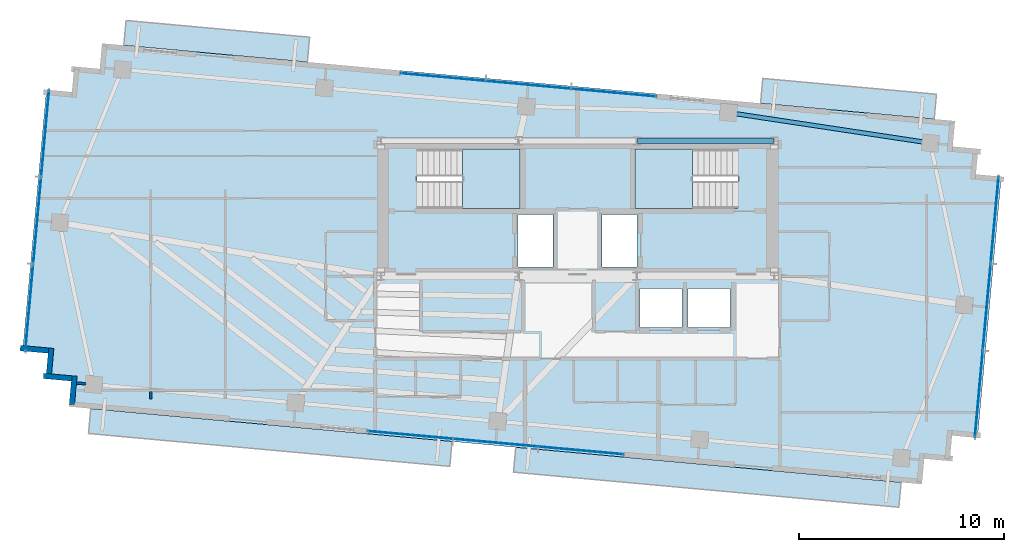
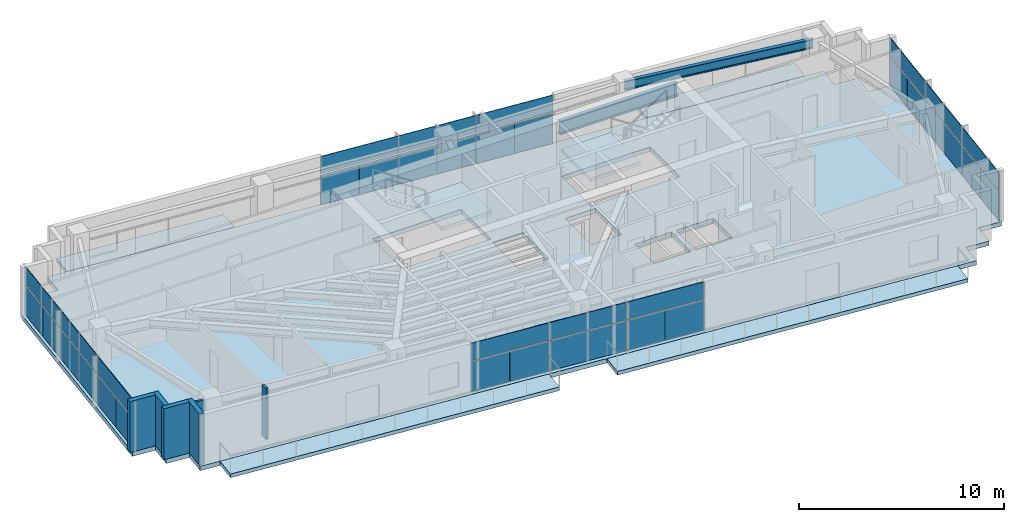
# One storey, part 15 of 22: 36 plates, 7 slabs, 6 walls, 2 beams, 6 elements without a shape of their own.
"""IFC4 building model written with IfcOpenShell, lengths in metres."""

from ifc_helpers import new_model, si_unit, direction, frame, frame_2d, origin, origin_2d, place, context, subcontext, project, spatial, polyline, rectangle, i_section, outline, extrude, source, transform, mapped, material, layer, layer_set, material_profile, profile_set, type_object, type_shapes, element, aggregate, save


model = new_model("IFC4")

# Units and contexts
model_context = context("Model", 3, precision=1e-05, world=origin(), true_north=direction((0.0, 1.0)))
body_context = subcontext(model_context, "Body", "Model", "MODEL_VIEW")
ifc_project = project(units=[si_unit("LENGTHUNIT", "METRE"), si_unit("AREAUNIT", "SQUARE_METRE"), si_unit("VOLUMEUNIT", "CUBIC_METRE"), si_unit("PLANEANGLEUNIT", "RADIAN"), si_unit("MASSUNIT", "GRAM", prefix="KILO")], contexts=[model_context])

# Site, building, storey
site_placement = place(None, origin())
site = spatial("IfcSite", under=ifc_project, at=site_placement, CompositionType="ELEMENT")
building_placement = place(site_placement, origin())
building = spatial("IfcBuilding", under=site, at=building_placement, Name="Astriad Promenade Condominiums", CompositionType="ELEMENT")
storey_placement = place(building_placement, frame((0.0, 0.0, 243.0)))
storey = spatial("IfcBuildingStorey", under=building, at=storey_placement, Name="L70", CompositionType="ELEMENT", Elevation=243.0)

# Beams
ifc_material_1 = material(Name="Steel ASTM A992 Grade 50", Category="steel")
ifc_material_profile_1 = material_profile(ifc_material_1, i_section(OverallWidth=0.267822265625, OverallDepth=0.76953125, WebThickness=0.015625, FlangeThickness=0.025390625, FilletRadius=0.021484375, at=origin_2d()), Name="W30X132")
ifc_profile_set_1 = profile_set([ifc_material_profile_1], Name="Steel ASTM A992 Grade 50")
beam_type_1 = type_object("IfcBeamType", Name="STEEL FLOOR GIRDER W30X132", PredefinedType="BEAM", material=ifc_profile_set_1)
shared_shape_1 = source(origin(), body_context, "Body", "SweptSolid", [
    extrude(i_section(OverallWidth=0.267822265625, OverallDepth=0.76953125, WebThickness=0.015625, FlangeThickness=0.025390625, FilletRadius=0.021484375, at=origin_2d()), origin(), (0.0, 0.0, 1.0), 6.64013671875),
])
type_shapes(beam_type_1, [shared_shape_1])
beam_1_placement = place(storey_placement, frame((38.919921875, 24.0, 2.6552734375), z_axis=(1.0, 0.0, 0.0), x_axis=(0.0, 1.0, 0.0)))
element("IfcBeam", 1, at=beam_1_placement, inside=storey, type_object=beam_type_1, Name="Core Ring Beam CG-N3-L70", PredefinedType="BEAM", context=body_context, shape_type="MappedRepresentation", body=[
    mapped(shared_shape_1, transform((0.0, 0.0, 0.0), scale=1.0)),
])
ifc_material_profile_2 = material_profile(ifc_material_1, i_section(OverallWidth=0.210693359375, OverallDepth=0.53955078125, WebThickness=0.01171875, FlangeThickness=0.018798828125, FilletRadius=0.0166015625, at=origin_2d()), Name="W21X73")
ifc_profile_set_2 = profile_set([ifc_material_profile_2], Name="Steel ASTM A992 Grade 50")
beam_type_2 = type_object("IfcBeamType", Name="STEEL SPANDREL BEAM W21X73", PredefinedType="SPANDREL", material=ifc_profile_set_2)
shared_shape_2 = source(origin(), body_context, "Body", "SweptSolid", [
    extrude(i_section(OverallWidth=0.210693359375, OverallDepth=0.53955078125, WebThickness=0.01171875, FlangeThickness=0.018798828125, FilletRadius=0.0166015625, at=origin_2d()), origin(), (0.0, 0.0, 1.0), 9.890869140625),
])
type_shapes(beam_type_2, [shared_shape_2])
beam_2_placement = place(storey_placement, frame((53.1787109375, 23.899658203125, 2.770263671875), z_axis=(-0.988827455442, 0.149064628143, 0.0), x_axis=(-0.149064628143, -0.988827455442, 0.0)))
element("IfcBeam", 2, at=beam_2_placement, inside=storey, type_object=beam_type_2, Name="Perimeter Spandrel Beam SP-N4-L70", PredefinedType="SPANDREL", context=body_context, shape_type="MappedRepresentation", body=[
    mapped(shared_shape_2, transform((0.0, 0.0, 0.0), scale=1.0)),
])

# Slab
ifc_material_2 = material(Name="Concrete C50/60", Category="concrete")
ifc_layer_1 = layer(ifc_material_2, 0.260009765625)
ifc_layer_set_1 = layer_set([ifc_layer_1], Name="Concrete C50/60")
slab_type_1 = type_object("IfcSlabType", Name="CONCRETE TOWER FLOOR SLAB 260", PredefinedType="FLOOR", material=ifc_layer_set_1)
slab_1_placement = place(storey_placement, frame((0.0, 0.0, -0.260009765625)))
element("IfcSlab", 3, at=slab_1_placement, inside=storey, type_object=slab_type_1, Name="Structural Floor Slab (L70)", PredefinedType="FLOOR", context=body_context, shape_type="SweptSolid", body=[
    extrude(outline(polyline([(11.179443359375, 11.03076171875), (52.807373046875, 7.242431640625), (52.920654296875, 8.4873046875), (54.16552734375, 8.3740234375), (54.27880859375, 9.618896484375), (55.523681640625, 9.505615234375), (56.68359375, 22.2529296875), (55.43896484375, 22.3662109375), (55.55224609375, 23.611083984375), (54.307373046875, 23.724365234375), (54.420654296875, 24.96923828125), (12.79248046875, 28.757568359375), (12.679443359375, 27.5126953125), (11.4345703125, 27.6259765625), (11.3212890625, 26.381103515625), (10.076416015625, 26.494384765625), (8.916259765625, 13.7470703125), (10.1611328125, 13.6337890625), (10.0478515625, 12.388916015625), (11.292724609375, 12.275634765625), (11.179443359375, 11.03076171875)]), holes=[polyline([(28.175048828125, 20.699951171875), (33.175048828125, 20.699951171875), (33.175048828125, 23.60009765625), (28.175048828125, 23.60009765625), (28.175048828125, 20.699951171875)]), polyline([(38.824951171875, 20.699951171875), (43.824951171875, 20.699951171875), (43.824951171875, 23.60009765625), (38.824951171875, 23.60009765625), (38.824951171875, 20.699951171875)]), polyline([(33.10009765625, 17.85009765625), (34.800048828125, 17.85009765625), (34.800048828125, 20.39990234375), (33.10009765625, 20.39990234375), (33.10009765625, 17.85009765625)]), polyline([(37.199951171875, 17.85009765625), (38.89990234375, 17.85009765625), (38.89990234375, 20.39990234375), (37.199951171875, 20.39990234375), (37.199951171875, 17.85009765625)]), polyline([(39.050048828125, 14.89990234375), (41.10009765625, 14.89990234375), (41.10009765625, 16.800048828125), (39.050048828125, 16.800048828125), (39.050048828125, 14.89990234375)]), polyline([(41.39990234375, 14.89990234375), (43.449951171875, 14.89990234375), (43.449951171875, 16.800048828125), (41.39990234375, 16.800048828125), (41.39990234375, 14.89990234375)])]), origin(), (0.0, 0.0, 1.0), 0.260009765625),
])

# Stair, slab
stair_type = type_object("IfcStairType", Name="STR-CORE-1350", PredefinedType="HALF_TURN_STAIR", material=ifc_material_2)
stair_1_placement = place(storey_placement, origin())
stair_1 = element("IfcStair", 4, at=stair_1_placement, inside=storey, type_object=stair_type, Name="L70 Enclosed Core Exit Stair ST-1", PredefinedType="HALF_TURN_STAIR")
ifc_layer_2 = layer(ifc_material_2, 0.219970703125)
ifc_layer_set_2 = layer_set([ifc_layer_2], Name="Concrete C50/60")
slab_type_2 = type_object("IfcSlabType", Name="SLB-LANDING-220", PredefinedType="LANDING", material=ifc_layer_set_2)
slab_2_placement = place(storey_placement, frame((0.0, 0.0, 1.449951171875)))
slab_2 = element("IfcSlab", 5, at=slab_2_placement, type_object=slab_type_2, Name="ST-1 landing 1", PredefinedType="LANDING", context=body_context, shape_type="SweptSolid", body=[
    extrude(outline(polyline([(30.389892578125, 20.699951171875), (33.199951171875, 20.699951171875), (33.199951171875, 23.60009765625), (30.389892578125, 23.60009765625), (30.389892578125, 20.699951171875)])), origin(), (0.0, 0.0, 1.0), 0.199951171875),
])
aggregate(stair_1, [slab_2])

stair_2_placement = place(storey_placement, origin())
stair_2 = element("IfcStair", 6, at=stair_2_placement, inside=storey, type_object=stair_type, Name="L70 Enclosed Core Exit Stair ST-2", PredefinedType="HALF_TURN_STAIR")
slab_3_placement = place(storey_placement, frame((0.0, 0.0, 1.449951171875)))
slab_3 = element("IfcSlab", 7, at=slab_3_placement, type_object=slab_type_2, Name="ST-2 landing 1", PredefinedType="LANDING", context=body_context, shape_type="SweptSolid", body=[
    extrude(outline(polyline([(41.610107421875, 23.60009765625), (38.800048828125, 23.60009765625), (38.800048828125, 20.699951171875), (41.610107421875, 20.699951171875), (41.610107421875, 23.60009765625)])), origin(), (0.0, 0.0, 1.0), 0.199951171875),
])
aggregate(stair_2, [slab_3])

# Slabs
ifc_material_3 = material(Name="Precast concrete C50/60", Category="concrete")
ifc_layer_3 = layer(ifc_material_3, 0.219970703125)
ifc_layer_set_3 = layer_set([ifc_layer_3], Name="Precast concrete C50/60")
slab_type_3 = type_object("IfcSlabType", Name="WHITE PRECAST CONCRETE WAVE BALCONY SLAB 220", PredefinedType="FLOOR", material=ifc_layer_set_3)
slab_4_placement = place(storey_placement, frame((0.0, 0.0, -0.219970703125)))
element("IfcSlab", 8, at=slab_4_placement, inside=storey, type_object=slab_type_3, Name="White Precast Wave Balcony Slab BAL-L70-SW", PredefinedType="FLOOR", context=body_context, shape_type="SweptSolid", body=[
    extrude(outline(polyline([(29.763671875, 8.114501953125), (12.12939453125, 9.71923828125), (12.23974609375, 10.932373046875), (29.873779296875, 9.327392578125), (29.763671875, 8.114501953125)])), origin(), (0.0, 0.0, 1.0), 0.219970703125),
])
slab_5_placement = place(storey_placement, frame((0.0, 0.0, -0.219970703125)))
element("IfcSlab", 9, at=slab_5_placement, inside=storey, type_object=slab_type_3, Name="White Precast Wave Balcony Slab BAL-L70-SE", PredefinedType="FLOOR", context=body_context, shape_type="SweptSolid", body=[
    extrude(outline(polyline([(51.681884765625, 6.119873046875), (32.872802734375, 7.83154296875), (32.983154296875, 9.04443359375), (51.792236328125, 7.332763671875), (51.681884765625, 6.119873046875)])), origin(), (0.0, 0.0, 1.0), 0.219970703125),
])
slab_6_placement = place(storey_placement, frame((0.0, 0.0, -0.219970703125)))
element("IfcSlab", 10, at=slab_6_placement, inside=storey, type_object=slab_type_3, Name="White Precast Wave Balcony Slab BAL-L70-NW", PredefinedType="FLOOR", context=body_context, shape_type="SweptSolid", body=[
    extrude(outline(polyline([(13.9638671875, 29.8759765625), (22.921875, 29.060791015625), (22.811279296875, 27.847900390625), (13.853515625, 28.6630859375), (13.9638671875, 29.8759765625)])), origin(), (0.0, 0.0, 1.0), 0.219970703125),
])
slab_7_placement = place(storey_placement, frame((0.0, 0.0, -0.219970703125)))
element("IfcSlab", 11, at=slab_7_placement, inside=storey, type_object=slab_type_3, Name="White Precast Wave Balcony Slab BAL-L70-NE", PredefinedType="FLOOR", context=body_context, shape_type="SweptSolid", body=[
    extrude(outline(polyline([(45.040283203125, 27.0478515625), (53.516357421875, 26.276611328125), (53.406005859375, 25.0634765625), (44.929931640625, 25.8349609375), (45.040283203125, 27.0478515625)])), origin(), (0.0, 0.0, 1.0), 0.219970703125),
])

# Curtain wall, plates
ifc_material_4 = material(Name="Anodised aluminium Black Dark Glass Unitised", Category="aluminium")
curtain_wall_type = type_object("IfcCurtainWallType", Name="CW-B5-DARK", PredefinedType="USERDEFINED", material=ifc_material_4)
curtain_wall_1_placement = place(storey_placement, origin())
curtain_wall_1 = element("IfcCurtainWall", 12, at=curtain_wall_1_placement, inside=storey, type_object=curtain_wall_type, Name="CW-L70-W", ObjectType="UNITISED_CURTAIN_WALL", PredefinedType="USERDEFINED")
ifc_material_5 = material(Name="Dark Tinted Low-E Laminated Glass", Category="glass")
ifc_layer_4 = layer(ifc_material_5, 0.035888671875)
ifc_layer_set_4 = layer_set([ifc_layer_4], Name="Dark Tinted Low-E Laminated Glass")
plate_type = type_object("IfcPlateType", Name="PNL-DARK-GLASS-36", PredefinedType="CURTAIN_PANEL", material=ifc_layer_set_4)
shared_shape_3 = source(origin(), body_context, "Body", "SweptSolid", [
    extrude(rectangle(XDim=2.121337890625, YDim=0.035888671875, at=origin_2d()), origin(), (0.0, 0.0, 1.0), 1.764892578125),
])
plate_1_placement = place(storey_placement, frame((9.142578125, 14.797607421875, 0.080078125), z_axis=(0.0, 0.0, 1.0), x_axis=(0.090632580198, 0.995884398616, 0.0)))
plate_1 = element("IfcPlate", 13, at=plate_1_placement, type_object=plate_type, Name="CW-L70-W-PNL-00-VL", PredefinedType="CURTAIN_PANEL", context=body_context, shape_type="MappedRepresentation", body=[
    mapped(shared_shape_3, transform((0.0, 0.0, 0.0), scale=1.0)),
])
plate_2_placement = place(storey_placement, frame((9.335693359375, 16.922119140625, 0.080078125), z_axis=(0.0, 0.0, 1.0), x_axis=(0.090632580198, 0.995884398616, 0.0)))
plate_2 = element("IfcPlate", 14, at=plate_2_placement, type_object=plate_type, Name="CW-L70-W-PNL-00-VR", PredefinedType="CURTAIN_PANEL", context=body_context, shape_type="MappedRepresentation", body=[
    mapped(shared_shape_3, transform((0.0, 0.0, 0.0), scale=1.0)),
])
plate_3_placement = place(storey_placement, frame((9.529296875, 19.046630859375, 0.080078125), z_axis=(0.0, 0.0, 1.0), x_axis=(0.090632580198, 0.995884398616, 0.0)))
plate_3 = element("IfcPlate", 15, at=plate_3_placement, type_object=plate_type, Name="CW-L70-W-PNL-01-VL", PredefinedType="CURTAIN_PANEL", context=body_context, shape_type="MappedRepresentation", body=[
    mapped(shared_shape_3, transform((0.0, 0.0, 0.0), scale=1.0)),
])
plate_4_placement = place(storey_placement, frame((9.722412109375, 21.17138671875, 0.080078125), z_axis=(0.0, 0.0, 1.0), x_axis=(0.090632580198, 0.995884398616, 0.0)))
plate_4 = element("IfcPlate", 16, at=plate_4_placement, type_object=plate_type, Name="CW-L70-W-PNL-01-VR", PredefinedType="CURTAIN_PANEL", context=body_context, shape_type="MappedRepresentation", body=[
    mapped(shared_shape_3, transform((0.0, 0.0, 0.0), scale=1.0)),
])
plate_5_placement = place(storey_placement, frame((9.916015625, 23.2958984375, 0.080078125), z_axis=(0.0, 0.0, 1.0), x_axis=(0.090632580198, 0.995884398616, 0.0)))
plate_5 = element("IfcPlate", 17, at=plate_5_placement, type_object=plate_type, Name="CW-L70-W-PNL-02-VL", PredefinedType="CURTAIN_PANEL", context=body_context, shape_type="MappedRepresentation", body=[
    mapped(shared_shape_3, transform((0.0, 0.0, 0.0), scale=1.0)),
])
plate_6_placement = place(storey_placement, frame((10.109130859375, 25.42041015625, 0.080078125), z_axis=(0.0, 0.0, 1.0), x_axis=(0.090632580198, 0.995884398616, 0.0)))
plate_6 = element("IfcPlate", 18, at=plate_6_placement, type_object=plate_type, Name="CW-L70-W-PNL-02-VR", PredefinedType="CURTAIN_PANEL", context=body_context, shape_type="MappedRepresentation", body=[
    mapped(shared_shape_3, transform((0.0, 0.0, 0.0), scale=1.0)),
])

curtain_wall_2_placement = place(storey_placement, origin())
curtain_wall_2 = element("IfcCurtainWall", 19, at=curtain_wall_2_placement, inside=storey, type_object=curtain_wall_type, Name="CW-L70-E", ObjectType="UNITISED_CURTAIN_WALL", PredefinedType="USERDEFINED")
plate_7_placement = place(storey_placement, frame((56.45751953125, 21.202392578125, 0.080078125), z_axis=(0.0, 0.0, 1.0), x_axis=(-0.090632580198, -0.995884398616, 0.0)))
plate_7 = element("IfcPlate", 20, at=plate_7_placement, type_object=plate_type, Name="CW-L70-E-PNL-00-VL", PredefinedType="CURTAIN_PANEL", context=body_context, shape_type="MappedRepresentation", body=[
    mapped(shared_shape_3, transform((0.0, 0.0, 0.0), scale=1.0)),
])
plate_8_placement = place(storey_placement, frame((56.26416015625, 19.077880859375, 0.080078125), z_axis=(0.0, 0.0, 1.0), x_axis=(-0.090632580198, -0.995884398616, 0.0)))
plate_8 = element("IfcPlate", 21, at=plate_8_placement, type_object=plate_type, Name="CW-L70-E-PNL-00-VR", PredefinedType="CURTAIN_PANEL", context=body_context, shape_type="MappedRepresentation", body=[
    mapped(shared_shape_3, transform((0.0, 0.0, 0.0), scale=1.0)),
])
plate_9_placement = place(storey_placement, frame((56.07080078125, 16.953369140625, 0.080078125), z_axis=(0.0, 0.0, 1.0), x_axis=(-0.090632580198, -0.995884398616, 0.0)))
plate_9 = element("IfcPlate", 22, at=plate_9_placement, type_object=plate_type, Name="CW-L70-E-PNL-01-VL", PredefinedType="CURTAIN_PANEL", context=body_context, shape_type="MappedRepresentation", body=[
    mapped(shared_shape_3, transform((0.0, 0.0, 0.0), scale=1.0)),
])
plate_10_placement = place(storey_placement, frame((55.87744140625, 14.82861328125, 0.080078125), z_axis=(0.0, 0.0, 1.0), x_axis=(-0.090632580198, -0.995884398616, 0.0)))
plate_10 = element("IfcPlate", 23, at=plate_10_placement, type_object=plate_type, Name="CW-L70-E-PNL-01-VR", PredefinedType="CURTAIN_PANEL", context=body_context, shape_type="MappedRepresentation", body=[
    mapped(shared_shape_3, transform((0.0, 0.0, 0.0), scale=1.0)),
])
plate_11_placement = place(storey_placement, frame((55.68408203125, 12.7041015625, 0.080078125), z_axis=(0.0, 0.0, 1.0), x_axis=(-0.090632580198, -0.995884398616, 0.0)))
plate_11 = element("IfcPlate", 24, at=plate_11_placement, type_object=plate_type, Name="CW-L70-E-PNL-02-VL", PredefinedType="CURTAIN_PANEL", context=body_context, shape_type="MappedRepresentation", body=[
    mapped(shared_shape_3, transform((0.0, 0.0, 0.0), scale=1.0)),
])
plate_12_placement = place(storey_placement, frame((55.49072265625, 10.57958984375, 0.080078125), z_axis=(0.0, 0.0, 1.0), x_axis=(-0.090632580198, -0.995884398616, 0.0)))
plate_12 = element("IfcPlate", 25, at=plate_12_placement, type_object=plate_type, Name="CW-L70-E-PNL-02-VR", PredefinedType="CURTAIN_PANEL", context=body_context, shape_type="MappedRepresentation", body=[
    mapped(shared_shape_3, transform((0.0, 0.0, 0.0), scale=1.0)),
])

# Plate
shared_shape_4 = source(origin(), body_context, "Body", "SweptSolid", [
    extrude(rectangle(XDim=4.254638671875, YDim=0.035888671875, at=origin_2d()), origin(), (0.0, 0.0, 1.0), 1.03515625),
])
plate_13_placement = place(storey_placement, frame((9.239013671875, 15.85986328125, 1.9248046875), z_axis=(0.0, 0.0, 1.0), x_axis=(0.090632580198, 0.995884398616, 0.0)))
plate_13 = element("IfcPlate", 26, at=plate_13_placement, type_object=plate_type, Name="CW-L70-W-PNL-00-S", PredefinedType="CURTAIN_PANEL", context=body_context, shape_type="MappedRepresentation", body=[
    mapped(shared_shape_4, transform((0.0, 0.0, 0.0), scale=1.0)),
])

plate_14_placement = place(storey_placement, frame((9.625732421875, 20.10888671875, 1.9248046875), z_axis=(0.0, 0.0, 1.0), x_axis=(0.090632580198, 0.995884398616, 0.0)))
plate_14 = element("IfcPlate", 27, at=plate_14_placement, type_object=plate_type, Name="CW-L70-W-PNL-01-S", PredefinedType="CURTAIN_PANEL", context=body_context, shape_type="MappedRepresentation", body=[
    mapped(shared_shape_4, transform((0.0, 0.0, 0.0), scale=1.0)),
])

plate_15_placement = place(storey_placement, frame((10.0126953125, 24.358154296875, 1.9248046875), z_axis=(0.0, 0.0, 1.0), x_axis=(0.090632580198, 0.995884398616, 0.0)))
plate_15 = element("IfcPlate", 28, at=plate_15_placement, type_object=plate_type, Name="CW-L70-W-PNL-02-S", PredefinedType="CURTAIN_PANEL", context=body_context, shape_type="MappedRepresentation", body=[
    mapped(shared_shape_4, transform((0.0, 0.0, 0.0), scale=1.0)),
])

aggregate(curtain_wall_1, [plate_1, plate_2, plate_13, plate_3, plate_4, plate_14, plate_5, plate_6, plate_15])

plate_16_placement = place(storey_placement, frame((56.36083984375, 20.14013671875, 1.9248046875), z_axis=(0.0, 0.0, 1.0), x_axis=(-0.090632580198, -0.995884398616, 0.0)))
plate_16 = element("IfcPlate", 29, at=plate_16_placement, type_object=plate_type, Name="CW-L70-E-PNL-00-S", PredefinedType="CURTAIN_PANEL", context=body_context, shape_type="MappedRepresentation", body=[
    mapped(shared_shape_4, transform((0.0, 0.0, 0.0), scale=1.0)),
])

plate_17_placement = place(storey_placement, frame((55.97412109375, 15.89111328125, 1.9248046875), z_axis=(0.0, 0.0, 1.0), x_axis=(-0.090632580198, -0.995884398616, 0.0)))
plate_17 = element("IfcPlate", 30, at=plate_17_placement, type_object=plate_type, Name="CW-L70-E-PNL-01-S", PredefinedType="CURTAIN_PANEL", context=body_context, shape_type="MappedRepresentation", body=[
    mapped(shared_shape_4, transform((0.0, 0.0, 0.0), scale=1.0)),
])

plate_18_placement = place(storey_placement, frame((55.58740234375, 11.641845703125, 1.9248046875), z_axis=(0.0, 0.0, 1.0), x_axis=(-0.090632580198, -0.995884398616, 0.0)))
plate_18 = element("IfcPlate", 31, at=plate_18_placement, type_object=plate_type, Name="CW-L70-E-PNL-02-S", PredefinedType="CURTAIN_PANEL", context=body_context, shape_type="MappedRepresentation", body=[
    mapped(shared_shape_4, transform((0.0, 0.0, 0.0), scale=1.0)),
])

aggregate(curtain_wall_2, [plate_7, plate_8, plate_16, plate_9, plate_10, plate_17, plate_11, plate_12, plate_18])

# Curtain wall, plates
curtain_wall_3_placement = place(storey_placement, origin())
curtain_wall_3 = element("IfcCurtainWall", 32, at=curtain_wall_3_placement, inside=storey, type_object=curtain_wall_type, Name="CW-L70-N", ObjectType="UNITISED_CURTAIN_WALL", PredefinedType="USERDEFINED")
shared_shape_5 = source(origin(), body_context, "Body", "SweptSolid", [
    extrude(rectangle(XDim=2.077880859375, YDim=0.035888671875, at=origin_2d()), origin(), (0.0, 0.0, 1.0), 1.764892578125),
])
plate_19_placement = place(storey_placement, frame((28.391357421875, 27.20751953125, 0.080078125), z_axis=(0.0, 0.0, 1.0), x_axis=(0.995884398616, -0.090632580198, 0.0)))
plate_19 = element("IfcPlate", 33, at=plate_19_placement, type_object=plate_type, Name="CW-L70-N-PNL-00-VL", PredefinedType="CURTAIN_PANEL", context=body_context, shape_type="MappedRepresentation", body=[
    mapped(shared_shape_5, transform((0.0, 0.0, 0.0), scale=1.0)),
])
plate_20_placement = place(storey_placement, frame((30.47265625, 27.01806640625, 0.080078125), z_axis=(0.0, 0.0, 1.0), x_axis=(0.995884398616, -0.090632580198, 0.0)))
plate_20 = element("IfcPlate", 34, at=plate_20_placement, type_object=plate_type, Name="CW-L70-N-PNL-00-VR", PredefinedType="CURTAIN_PANEL", context=body_context, shape_type="MappedRepresentation", body=[
    mapped(shared_shape_5, transform((0.0, 0.0, 0.0), scale=1.0)),
])
plate_21_placement = place(storey_placement, frame((32.55419921875, 26.82861328125, 0.080078125), z_axis=(0.0, 0.0, 1.0), x_axis=(0.995884398616, -0.090632580198, 0.0)))
plate_21 = element("IfcPlate", 35, at=plate_21_placement, type_object=plate_type, Name="CW-L70-N-PNL-01-VL", PredefinedType="CURTAIN_PANEL", context=body_context, shape_type="MappedRepresentation", body=[
    mapped(shared_shape_5, transform((0.0, 0.0, 0.0), scale=1.0)),
])
plate_22_placement = place(storey_placement, frame((34.635498046875, 26.63916015625, 0.080078125), z_axis=(0.0, 0.0, 1.0), x_axis=(0.995884398616, -0.090632580198, 0.0)))
plate_22 = element("IfcPlate", 36, at=plate_22_placement, type_object=plate_type, Name="CW-L70-N-PNL-01-VR", PredefinedType="CURTAIN_PANEL", context=body_context, shape_type="MappedRepresentation", body=[
    mapped(shared_shape_5, transform((0.0, 0.0, 0.0), scale=1.0)),
])
plate_23_placement = place(storey_placement, frame((36.716796875, 26.44970703125, 0.080078125), z_axis=(0.0, 0.0, 1.0), x_axis=(0.995884398616, -0.090632580198, 0.0)))
plate_23 = element("IfcPlate", 37, at=plate_23_placement, type_object=plate_type, Name="CW-L70-N-PNL-02-VL", PredefinedType="CURTAIN_PANEL", context=body_context, shape_type="MappedRepresentation", body=[
    mapped(shared_shape_5, transform((0.0, 0.0, 0.0), scale=1.0)),
])
plate_24_placement = place(storey_placement, frame((38.79833984375, 26.26025390625, 0.080078125), z_axis=(0.0, 0.0, 1.0), x_axis=(0.995884398616, -0.090632580198, 0.0)))
plate_24 = element("IfcPlate", 38, at=plate_24_placement, type_object=plate_type, Name="CW-L70-N-PNL-02-VR", PredefinedType="CURTAIN_PANEL", context=body_context, shape_type="MappedRepresentation", body=[
    mapped(shared_shape_5, transform((0.0, 0.0, 0.0), scale=1.0)),
])

curtain_wall_4_placement = place(storey_placement, origin())
curtain_wall_4 = element("IfcCurtainWall", 39, at=curtain_wall_4_placement, inside=storey, type_object=curtain_wall_type, Name="CW-L70-S", ObjectType="UNITISED_CURTAIN_WALL", PredefinedType="USERDEFINED")
plate_25_placement = place(storey_placement, frame((37.208740234375, 8.79248046875, 0.080078125), z_axis=(0.0, 0.0, 1.0), x_axis=(-0.995884398616, 0.090632580198, 0.0)))
plate_25 = element("IfcPlate", 40, at=plate_25_placement, type_object=plate_type, Name="CW-L70-S-PNL-00-VL", PredefinedType="CURTAIN_PANEL", context=body_context, shape_type="MappedRepresentation", body=[
    mapped(shared_shape_5, transform((0.0, 0.0, 0.0), scale=1.0)),
])
plate_26_placement = place(storey_placement, frame((35.127197265625, 8.98193359375, 0.080078125), z_axis=(0.0, 0.0, 1.0), x_axis=(-0.995884398616, 0.090632580198, 0.0)))
plate_26 = element("IfcPlate", 41, at=plate_26_placement, type_object=plate_type, Name="CW-L70-S-PNL-00-VR", PredefinedType="CURTAIN_PANEL", context=body_context, shape_type="MappedRepresentation", body=[
    mapped(shared_shape_5, transform((0.0, 0.0, 0.0), scale=1.0)),
])
plate_27_placement = place(storey_placement, frame((33.0458984375, 9.17138671875, 0.080078125), z_axis=(0.0, 0.0, 1.0), x_axis=(-0.995884398616, 0.090632580198, 0.0)))
plate_27 = element("IfcPlate", 42, at=plate_27_placement, type_object=plate_type, Name="CW-L70-S-PNL-01-VL", PredefinedType="CURTAIN_PANEL", context=body_context, shape_type="MappedRepresentation", body=[
    mapped(shared_shape_5, transform((0.0, 0.0, 0.0), scale=1.0)),
])
plate_28_placement = place(storey_placement, frame((30.964599609375, 9.36083984375, 0.080078125), z_axis=(0.0, 0.0, 1.0), x_axis=(-0.995884398616, 0.090632580198, 0.0)))
plate_28 = element("IfcPlate", 43, at=plate_28_placement, type_object=plate_type, Name="CW-L70-S-PNL-01-VR", PredefinedType="CURTAIN_PANEL", context=body_context, shape_type="MappedRepresentation", body=[
    mapped(shared_shape_5, transform((0.0, 0.0, 0.0), scale=1.0)),
])
plate_29_placement = place(storey_placement, frame((28.883056640625, 9.55029296875, 0.080078125), z_axis=(0.0, 0.0, 1.0), x_axis=(-0.995884398616, 0.090632580198, 0.0)))
plate_29 = element("IfcPlate", 44, at=plate_29_placement, type_object=plate_type, Name="CW-L70-S-PNL-02-VL", PredefinedType="CURTAIN_PANEL", context=body_context, shape_type="MappedRepresentation", body=[
    mapped(shared_shape_5, transform((0.0, 0.0, 0.0), scale=1.0)),
])
plate_30_placement = place(storey_placement, frame((26.8017578125, 9.73974609375, 0.080078125), z_axis=(0.0, 0.0, 1.0), x_axis=(-0.995884398616, 0.090632580198, 0.0)))
plate_30 = element("IfcPlate", 45, at=plate_30_placement, type_object=plate_type, Name="CW-L70-S-PNL-02-VR", PredefinedType="CURTAIN_PANEL", context=body_context, shape_type="MappedRepresentation", body=[
    mapped(shared_shape_5, transform((0.0, 0.0, 0.0), scale=1.0)),
])

# Plate
shared_shape_6 = source(origin(), body_context, "Body", "SweptSolid", [
    extrude(rectangle(XDim=4.16796875, YDim=0.035888671875, at=origin_2d()), origin(), (0.0, 0.0, 1.0), 1.03515625),
])
type_shapes(plate_type, [shared_shape_3, shared_shape_4, shared_shape_5, shared_shape_6])
plate_31_placement = place(storey_placement, frame((29.431884765625, 27.11279296875, 1.9248046875), z_axis=(0.0, 0.0, 1.0), x_axis=(0.995884398616, -0.090632580198, 0.0)))
plate_31 = element("IfcPlate", 46, at=plate_31_placement, type_object=plate_type, Name="CW-L70-N-PNL-00-S", PredefinedType="CURTAIN_PANEL", context=body_context, shape_type="MappedRepresentation", body=[
    mapped(shared_shape_6, transform((0.0, 0.0, 0.0), scale=1.0)),
])

plate_32_placement = place(storey_placement, frame((33.5947265625, 26.73388671875, 1.9248046875), z_axis=(0.0, 0.0, 1.0), x_axis=(0.995884398616, -0.090632580198, 0.0)))
plate_32 = element("IfcPlate", 47, at=plate_32_placement, type_object=plate_type, Name="CW-L70-N-PNL-01-S", PredefinedType="CURTAIN_PANEL", context=body_context, shape_type="MappedRepresentation", body=[
    mapped(shared_shape_6, transform((0.0, 0.0, 0.0), scale=1.0)),
])

plate_33_placement = place(storey_placement, frame((37.757568359375, 26.35498046875, 1.9248046875), z_axis=(0.0, 0.0, 1.0), x_axis=(0.995884398616, -0.090632580198, 0.0)))
plate_33 = element("IfcPlate", 48, at=plate_33_placement, type_object=plate_type, Name="CW-L70-N-PNL-02-S", PredefinedType="CURTAIN_PANEL", context=body_context, shape_type="MappedRepresentation", body=[
    mapped(shared_shape_6, transform((0.0, 0.0, 0.0), scale=1.0)),
])

aggregate(curtain_wall_3, [plate_19, plate_20, plate_31, plate_21, plate_22, plate_32, plate_23, plate_24, plate_33])

plate_34_placement = place(storey_placement, frame((36.16796875, 8.88720703125, 1.9248046875), z_axis=(0.0, 0.0, 1.0), x_axis=(-0.995884398616, 0.090632580198, 0.0)))
plate_34 = element("IfcPlate", 49, at=plate_34_placement, type_object=plate_type, Name="CW-L70-S-PNL-00-S", PredefinedType="CURTAIN_PANEL", context=body_context, shape_type="MappedRepresentation", body=[
    mapped(shared_shape_6, transform((0.0, 0.0, 0.0), scale=1.0)),
])

plate_35_placement = place(storey_placement, frame((32.005126953125, 9.26611328125, 1.9248046875), z_axis=(0.0, 0.0, 1.0), x_axis=(-0.995884398616, 0.090632580198, 0.0)))
plate_35 = element("IfcPlate", 50, at=plate_35_placement, type_object=plate_type, Name="CW-L70-S-PNL-01-S", PredefinedType="CURTAIN_PANEL", context=body_context, shape_type="MappedRepresentation", body=[
    mapped(shared_shape_6, transform((0.0, 0.0, 0.0), scale=1.0)),
])

plate_36_placement = place(storey_placement, frame((27.84228515625, 9.64501953125, 1.9248046875), z_axis=(0.0, 0.0, 1.0), x_axis=(-0.995884398616, 0.090632580198, 0.0)))
plate_36 = element("IfcPlate", 51, at=plate_36_placement, type_object=plate_type, Name="CW-L70-S-PNL-02-S", PredefinedType="CURTAIN_PANEL", context=body_context, shape_type="MappedRepresentation", body=[
    mapped(shared_shape_6, transform((0.0, 0.0, 0.0), scale=1.0)),
])

aggregate(curtain_wall_4, [plate_25, plate_26, plate_34, plate_27, plate_28, plate_35, plate_29, plate_30, plate_36])

# Walls
ifc_layer_5 = layer(ifc_material_3, 0.260009765625)
ifc_layer_set_5 = layer_set([ifc_layer_5], Name="Precast concrete C50/60")
wall_type_1 = type_object("IfcWallType", Name="WALL-EXT-TWR-260", PredefinedType="STANDARD", material=ifc_layer_set_5)
wall_1_placement = place(storey_placement, frame((11.3193359375, 12.40380859375, 0.0), z_axis=(0.0, 0.0, 1.0), x_axis=(-0.995881721538, 0.090661991521, 0.0)))
element("IfcWall", 52, at=wall_1_placement, inside=storey, type_object=wall_type_1, Name="W-SER-L70-00", PredefinedType="STANDARD", context=body_context, shape_type="SweptSolid", body=[
    extrude(rectangle(XDim=1.39501953125, YDim=0.260009765625, at=frame_2d((0.697509765625, 0.0))), origin(), (0.0, 0.0, 1.0), 3.0400390625),
])
wall_2_placement = place(storey_placement, frame((10.187744140625, 12.49169921875, 0.0), z_axis=(0.0, 0.0, 1.0), x_axis=(0.090646191665, 0.995883159782, 0.0)))
element("IfcWall", 53, at=wall_2_placement, inside=storey, type_object=wall_type_1, Name="W-SER-L70-01", PredefinedType="STANDARD", context=body_context, shape_type="SweptSolid", body=[
    extrude(rectangle(XDim=1.395263671875, YDim=0.260009765625, at=frame_2d((0.69775390625, 0.0))), origin(), (0.0, 0.0, 1.0), 3.0400390625),
])
for number, where, z_axis, x_axis, name in (
    (54, (10.187744140625, 13.761962890625, 0.0), (0.0, 0.0, 1.0), (-0.995881721538, 0.090661991521, 0.0), "W-SER-L70-02"),
    (55, (11.3193359375, 11.133544921875, 0.0), (0.0, 0.0, 1.0), (0.090661991521, 0.995881721538, 0.0), "W-SER-L70-19"),
):
    element("IfcWall", number, at=place(storey_placement, frame(where, z_axis=z_axis, x_axis=x_axis)), inside=storey, type_object=wall_type_1, Name=name, PredefinedType="STANDARD", context=body_context, shape_type="SweptSolid", body=[
        extrude(rectangle(XDim=1.39501953125, YDim=0.260009765625, at=frame_2d((0.697509765625, 0.0))), origin(), (0.0, 0.0, 1.0), 3.0400390625),
    ])
ifc_material_6 = material(Name="Acoustic Metal-Stud Gypsum Partition")
ifc_layer_6 = layer(ifc_material_6, 0.1201171875)
ifc_layer_set_6 = layer_set([ifc_layer_6], Name="Acoustic Metal-Stud Gypsum Partition")
wall_type_2 = type_object("IfcWallType", Name="WALL-PART-120", PredefinedType="PARTITIONING", material=ifc_layer_set_6)
wall_3_placement = place(storey_placement, frame((15.172119140625, 11.39990234375, 0.0), z_axis=(0.0, 0.0, 1.0), x_axis=(0.0, 1.0, 0.0)))
element("IfcWall", 56, at=wall_3_placement, inside=storey, type_object=wall_type_2, Name="PT-L70-W1-WDV5", PredefinedType="PARTITIONING", context=body_context, shape_type="SweptSolid", body=[
    extrude(rectangle(XDim=0.378173828125, YDim=0.1201171875, at=frame_2d((0.18896484375, 0.0))), origin(), (0.0, 0.0, 1.0), 3.0400390625),
])
wall_4_placement = place(storey_placement, frame((12.00341796875, 12.140625, 0.0), z_axis=(0.0, 0.0, 1.0), x_axis=(-0.995884462012, 0.090631883588, 0.0)))
element("IfcWall", 57, at=wall_4_placement, inside=storey, type_object=wall_type_2, Name="PT-PIL-L70-PC01-8", PredefinedType="PARTITIONING", context=body_context, shape_type="SweptSolid", body=[
    extrude(rectangle(XDim=0.4580078125, YDim=0.1201171875, at=frame_2d((0.22900390625, 0.0))), origin(), (0.0, 0.0, 1.0), 3.0400390625),
])

save(model, "model.ifc")
